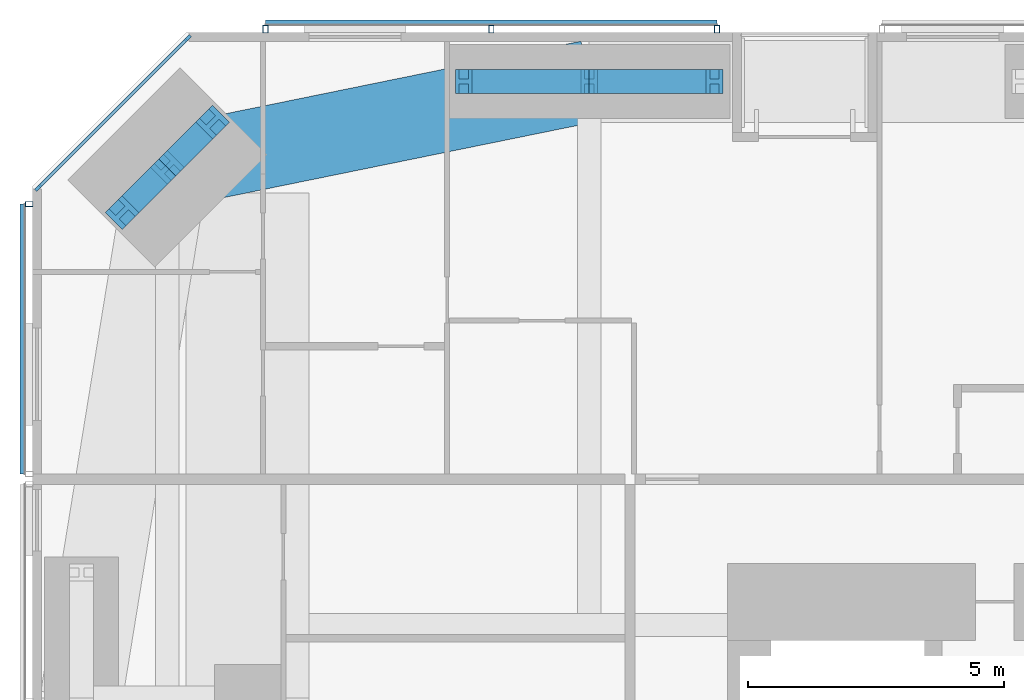
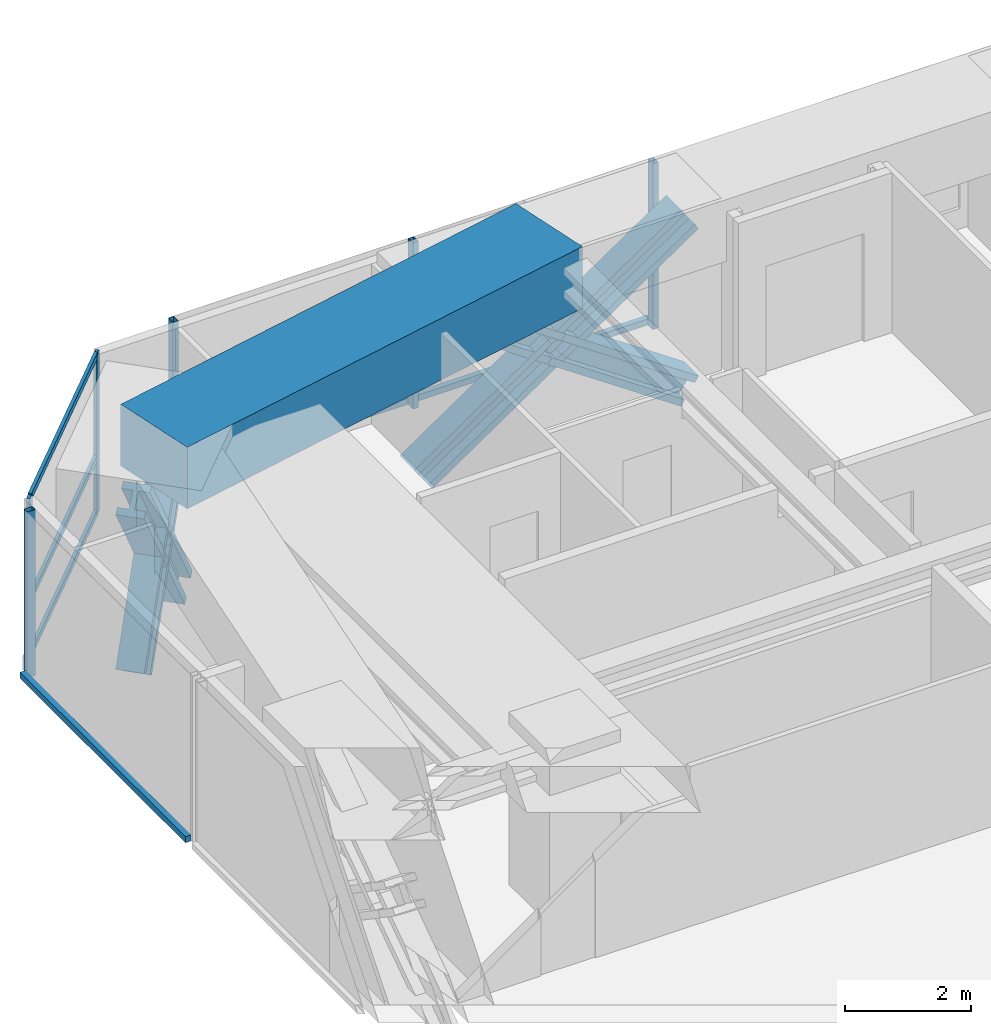
# One storey, part 11 of 24: 19 members, 1 beam, 3 elements without a shape of their own.
"""IFC4 building model written with IfcOpenShell, lengths in metres."""

from ifc_helpers import new_model, si_unit, direction, frame, origin, origin_2d, place, context, subcontext, project, spatial, rectangle, hollow_rectangle, i_section, extrude, material, material_profile, profile_set, type_object, element, aggregate, save


model = new_model("IFC4")

# Units and contexts
model_context = context("Model", 3, precision=1e-05, world=origin(), true_north=direction((0.0, 1.0)))
body_context = subcontext(model_context, "Body", "Model", "MODEL_VIEW")
ifc_project = project(units=[si_unit("LENGTHUNIT", "METRE"), si_unit("AREAUNIT", "SQUARE_METRE"), si_unit("VOLUMEUNIT", "CUBIC_METRE"), si_unit("PLANEANGLEUNIT", "RADIAN"), si_unit("MASSUNIT", "GRAM", prefix="KILO")], contexts=[model_context])

# Site, building, storey
site_placement = place(None, origin())
site = spatial("IfcSite", under=ifc_project, at=site_placement, CompositionType="ELEMENT")
building_placement = place(site_placement, origin())
building = spatial("IfcBuilding", under=site, at=building_placement, Name="Jalousie Tower", CompositionType="ELEMENT")
storey_placement = place(building_placement, frame((0.0, 0.0, 91.449951171875)))
storey = spatial("IfcBuildingStorey", under=building, at=storey_placement, Name="L24", CompositionType="ELEMENT", Elevation=91.449951171875)

# Curtain wall, members
ifc_material_1 = material(Name="Aluminium curtain wall", Category="aluminium")
curtain_wall_type_1 = type_object("IfcCurtainWallType", Name="CORNER WINDOW WALL", PredefinedType="USERDEFINED", material=ifc_material_1)
curtain_wall_1_placement = place(storey_placement, origin())
curtain_wall_1 = element("IfcCurtainWall", 1, at=curtain_wall_1_placement, inside=storey, type_object=curtain_wall_type_1, Name="Corner Window Wall L24 6", ObjectType="CORNER WINDOW WALL", PredefinedType="USERDEFINED")
ifc_material_2 = material(Name="Aluminium mullion", Category="aluminium")
ifc_material_profile_1 = material_profile(ifc_material_2, rectangle(XDim=0.06005859375, YDim=0.14990234375, at=origin_2d()), Name="MULLION 60x150")
ifc_profile_set_1 = profile_set([ifc_material_profile_1], Name="Aluminium mullion")
member_type_1 = type_object("IfcMemberType", Name="CORNER WINDOW WALL MULLION", PredefinedType="MULLION", material=ifc_profile_set_1)
member_1_placement = place(storey_placement, frame((9.030029296875, 37.891357421875, 0.0), z_axis=(0.0, 0.0, 1.0), x_axis=(0.707106781187, -0.707106781187, 0.0)))
member_1 = element("IfcMember", 2, at=member_1_placement, type_object=member_type_1, Name="CW-C mullion 1", PredefinedType="MULLION", context=body_context, shape_type="SweptSolid", body=[
    extrude(rectangle(XDim=0.06005859375, YDim=0.14990234375, at=origin_2d()), origin(), (0.0, 0.0, 1.0), 3.110107421875),
])
member_2_placement = place(storey_placement, frame((6.108642578125, 34.969970703125, 0.0), z_axis=(0.0, 0.0, 1.0), x_axis=(0.707106781187, -0.707106781187, 0.0)))
member_2 = element("IfcMember", 3, at=member_2_placement, type_object=member_type_1, Name="CW-C mullion 2", PredefinedType="MULLION", context=body_context, shape_type="SweptSolid", body=[
    extrude(rectangle(XDim=0.06005859375, YDim=0.14990234375, at=origin_2d()), origin(), (0.0, 0.0, 1.0), 3.110107421875),
])
ifc_material_3 = material(Name="Aluminium transom", Category="aluminium")
ifc_material_profile_2 = material_profile(ifc_material_3, rectangle(XDim=0.06005859375, YDim=0.1201171875, at=origin_2d()), Name="TRANSOM 60x120")
ifc_profile_set_2 = profile_set([ifc_material_profile_2], Name="Aluminium transom")
member_type_2 = type_object("IfcMemberType", Name="CORNER WINDOW WALL TRANSOM", PredefinedType="USERDEFINED", material=ifc_profile_set_2)
member_3_placement = place(storey_placement, frame((9.0087890625, 37.8701171875, 0.030029296875), z_axis=(-0.707106781187, -0.707106781187, 0.0), x_axis=(0.707106781187, -0.707106781187, 0.0)))
member_3 = element("IfcMember", 4, at=member_3_placement, type_object=member_type_2, Name="CW-C transom 1.1", ObjectType="TRANSOM", PredefinedType="USERDEFINED", context=body_context, shape_type="SweptSolid", body=[
    extrude(rectangle(XDim=0.06005859375, YDim=0.1201171875, at=origin_2d()), origin(), (0.0, 0.0, 1.0), 4.0712890625),
])
member_4_placement = place(storey_placement, frame((9.0087890625, 37.8701171875, 1.10009765625), z_axis=(-0.707106781187, -0.707106781187, 0.0), x_axis=(0.707106781187, -0.707106781187, 0.0)))
member_4 = element("IfcMember", 5, at=member_4_placement, type_object=member_type_2, Name="CW-C transom 1.2", ObjectType="TRANSOM", PredefinedType="USERDEFINED", context=body_context, shape_type="SweptSolid", body=[
    extrude(rectangle(XDim=0.06005859375, YDim=0.1201171875, at=origin_2d()), origin(), (0.0, 0.0, 1.0), 4.0712890625),
])
member_5_placement = place(storey_placement, frame((9.0087890625, 37.8701171875, 3.080078125), z_axis=(-0.707106781187, -0.707106781187, 0.0), x_axis=(0.707106781187, -0.707106781187, 0.0)))
member_5 = element("IfcMember", 6, at=member_5_placement, type_object=member_type_2, Name="CW-C transom 1.3", ObjectType="TRANSOM", PredefinedType="USERDEFINED", context=body_context, shape_type="SweptSolid", body=[
    extrude(rectangle(XDim=0.06005859375, YDim=0.1201171875, at=origin_2d()), origin(), (0.0, 0.0, 1.0), 4.0712890625),
])
aggregate(curtain_wall_1, [member_1, member_2, member_3, member_4, member_5])

# Members
ifc_material_4 = material(Name="Steel ASTM A992 Grade 50", Category="steel")
ifc_material_profile_3 = material_profile(ifc_material_4, i_section(OverallWidth=0.472412109375, OverallDepth=0.5791015625, WebThickness=0.094970703125, FlangeThickness=0.1298828125, at=origin_2d()), Name="W14X808")
ifc_profile_set_3 = profile_set([ifc_material_profile_3], Name="Steel ASTM A992 Grade 50")
member_type_3 = type_object("IfcMemberType", Name="PERIMETER BRACE W14X808", PredefinedType="BRACE", material=ifc_profile_set_3)
for number, where, z_axis, x_axis, name in (
    (7, (14.425048828125, 37.050048828125, -0.599853515625), (0.825539243753, 0.0, 0.564344714713), (0.0, 1.0, 0.0), "Perimeter brace 11 L24 part 1"),
    (8, (16.875, 37.050048828125, 1.074951171875), (0.825500916831, 0.0, 0.564400776321), (0.0, 1.0, 0.0), "Perimeter brace 11 L24 part 2"),
    (9, (19.324951171875, 37.050048828125, -0.599853515625), (-0.825539243753, 0.0, 0.564344714713), (0.0, -1.0, 0.0), "Perimeter brace 11 L24 part 3"),
    (10, (16.875, 37.050048828125, 1.074951171875), (-0.825500916831, 0.0, 0.564400776321), (0.0, -1.0, 0.0), "Perimeter brace 11 L24 part 4"),
):
    element("IfcMember", number, at=place(storey_placement, frame(where, z_axis=z_axis, x_axis=x_axis)), inside=storey, type_object=member_type_3, Name=name, PredefinedType="BRACE", context=body_context, shape_type="SweptSolid", body=[
        extrude(i_section(OverallWidth=0.472412109375, OverallDepth=0.5791015625, WebThickness=0.094970703125, FlangeThickness=0.1298828125, at=origin_2d()), origin(), (0.0, 0.0, 1.0), 2.9677734375),
    ])
member_6_placement = place(storey_placement, frame((9.515380859375, 36.25244140625, -0.599853515625), z_axis=(-0.423008127391, -0.422891306588, 0.801390708065), x_axis=(0.70700912125, -0.707204427637, 0.0)))
element("IfcMember", 11, at=member_6_placement, inside=storey, type_object=member_type_3, Name="Perimeter brace 12 L24 part 1", PredefinedType="BRACE", context=body_context, shape_type="SweptSolid", body=[
    extrude(i_section(OverallWidth=0.472412109375, OverallDepth=0.5791015625, WebThickness=0.094970703125, FlangeThickness=0.1298828125, at=origin_2d()), origin(), (0.0, 0.0, 1.0), 2.08984375),
])
member_7_placement = place(storey_placement, frame((8.63134765625, 35.36865234375, 1.074951171875), z_axis=(-0.422851718556, -0.422968528423, 0.801432497518), x_axis=(0.707204427637, -0.70700912125, 0.0)))
element("IfcMember", 12, at=member_7_placement, inside=storey, type_object=member_type_3, Name="Perimeter brace 12 L24 part 2", PredefinedType="BRACE", context=body_context, shape_type="SweptSolid", body=[
    extrude(i_section(OverallWidth=0.472412109375, OverallDepth=0.5791015625, WebThickness=0.094970703125, FlangeThickness=0.1298828125, at=origin_2d()), origin(), (0.0, 0.0, 1.0), 2.090087890625),
])
member_8_placement = place(storey_placement, frame((7.74755859375, 34.484619140625, -0.599853515625), z_axis=(0.422891306588, 0.423008127391, 0.801390708065), x_axis=(-0.707204427637, 0.70700912125, 0.0)))
element("IfcMember", 13, at=member_8_placement, inside=storey, type_object=member_type_3, Name="Perimeter brace 12 L24 part 3", PredefinedType="BRACE", context=body_context, shape_type="SweptSolid", body=[
    extrude(i_section(OverallWidth=0.472412109375, OverallDepth=0.5791015625, WebThickness=0.094970703125, FlangeThickness=0.1298828125, at=origin_2d()), origin(), (0.0, 0.0, 1.0), 2.08984375),
])
member_9_placement = place(storey_placement, frame((8.63134765625, 35.36865234375, 1.074951171875), z_axis=(0.422968528423, 0.422851718556, 0.801432497518), x_axis=(-0.70700912125, 0.707204427637, 0.0)))
element("IfcMember", 14, at=member_9_placement, inside=storey, type_object=member_type_3, Name="Perimeter brace 12 L24 part 4", PredefinedType="BRACE", context=body_context, shape_type="SweptSolid", body=[
    extrude(i_section(OverallWidth=0.472412109375, OverallDepth=0.5791015625, WebThickness=0.094970703125, FlangeThickness=0.1298828125, at=origin_2d()), origin(), (0.0, 0.0, 1.0), 2.090087890625),
])

# Beam
ifc_material_5 = material(Name="Concrete f'c 40 MPa", Category="concrete")
ifc_material_profile_4 = material_profile(ifc_material_5, rectangle(XDim=1.60009765625, YDim=1.199951171875, at=origin_2d()), Name="RC 1600x1200")
ifc_profile_set_4 = profile_set([ifc_material_profile_4], Name="Concrete f'c 40 MPa")
beam_type = type_object("IfcBeamType", Name="RC BEAM 1600x1200", PredefinedType="BEAM", material=ifc_profile_set_4)
beam_placement = place(storey_placement, frame((16.875, 37.050048828125, 2.75), z_axis=(-0.97982690954, -0.199848010602, 0.0), x_axis=(0.199848010602, -0.97982690954, 0.0)))
element("IfcBeam", 15, at=beam_placement, inside=storey, type_object=beam_type, Name="Edge band beam 11-12 under L25", PredefinedType="BEAM", context=body_context, shape_type="SweptSolid", body=[
    extrude(rectangle(XDim=1.60009765625, YDim=1.199951171875, at=origin_2d()), origin(), (0.0, 0.0, 1.0), 8.413330078125),
])

# Curtain wall, members
ifc_material_6 = material(Name="Perforated aluminium sheet", Category="aluminium")
curtain_wall_type_2 = type_object("IfcCurtainWallType", Name="SOLAR SCREEN SS-1", PredefinedType="USERDEFINED", material=ifc_material_6)
curtain_wall_2_placement = place(storey_placement, origin())
curtain_wall_2 = element("IfcCurtainWall", 16, at=curtain_wall_2_placement, inside=storey, type_object=curtain_wall_type_2, Name="Solar screen L24", ObjectType="SOLAR SCREEN SS-1", PredefinedType="USERDEFINED")
ifc_material_7 = material(Name="Steel ASTM A500 Grade C", Category="steel")
ifc_material_profile_5 = material_profile(ifc_material_7, hollow_rectangle(XDim=0.1015625, YDim=0.15234375, WallThickness=0.00634765625, at=origin_2d()), Name="HSS6X4X1/4")
ifc_profile_set_5 = profile_set([ifc_material_profile_5], Name="Steel ASTM A500 Grade C")
member_type_4 = type_object("IfcMemberType", Name="SOLAR SCREEN SS-1 MULLION", PredefinedType="MULLION", material=ifc_profile_set_5)
member_10_placement = place(storey_placement, frame((19.375, 38.0712890625, -0.119873046875), z_axis=(0.0, 0.0, 1.0), x_axis=(-1.0, 0.0, 0.0)))
member_10 = element("IfcMember", 17, at=member_10_placement, type_object=member_type_4, Name="SS1 post 1", PredefinedType="MULLION", context=body_context, shape_type="SweptSolid", body=[
    extrude(hollow_rectangle(XDim=0.1015625, YDim=0.15234375, WallThickness=0.00634765625, at=origin_2d()), origin(), (0.0, 0.0, 1.0), 3.22998046875),
])
member_11_placement = place(storey_placement, frame((14.96240234375, 38.0712890625, -0.119873046875), z_axis=(0.0, 0.0, 1.0), x_axis=(-1.0, 0.0, 0.0)))
member_11 = element("IfcMember", 18, at=member_11_placement, type_object=member_type_4, Name="SS1 post 2", PredefinedType="MULLION", context=body_context, shape_type="SweptSolid", body=[
    extrude(hollow_rectangle(XDim=0.1015625, YDim=0.15234375, WallThickness=0.00634765625, at=origin_2d()), origin(), (0.0, 0.0, 1.0), 3.22998046875),
])
member_12_placement = place(storey_placement, frame((10.550048828125, 38.0712890625, -0.119873046875), z_axis=(0.0, 0.0, 1.0), x_axis=(-1.0, 0.0, 0.0)))
member_12 = element("IfcMember", 19, at=member_12_placement, type_object=member_type_4, Name="SS1 post 3", PredefinedType="MULLION", context=body_context, shape_type="SweptSolid", body=[
    extrude(hollow_rectangle(XDim=0.1015625, YDim=0.15234375, WallThickness=0.00634765625, at=origin_2d()), origin(), (0.0, 0.0, 1.0), 3.22998046875),
])

# Curtain wall, member
curtain_wall_3_placement = place(storey_placement, origin())
curtain_wall_3 = element("IfcCurtainWall", 20, at=curtain_wall_3_placement, inside=storey, type_object=curtain_wall_type_2, Name="Solar screen L24", ObjectType="SOLAR SCREEN SS-1", PredefinedType="USERDEFINED")
member_13_placement = place(storey_placement, frame((5.9287109375, 34.648681640625, -0.119873046875), z_axis=(0.0, 0.0, 1.0), x_axis=(0.0, -1.0, 0.0)))
member_13 = element("IfcMember", 21, at=member_13_placement, type_object=member_type_4, Name="SS1 post 1", PredefinedType="MULLION", context=body_context, shape_type="SweptSolid", body=[
    extrude(hollow_rectangle(XDim=0.1015625, YDim=0.15234375, WallThickness=0.00634765625, at=origin_2d()), origin(), (0.0, 0.0, 1.0), 3.22998046875),
])

# Member
ifc_material_8 = material(Name="Extruded aluminium screen rail", Category="aluminium")
ifc_material_profile_6 = material_profile(ifc_material_8, rectangle(XDim=0.1015625, YDim=0.1201171875, at=origin_2d()), Name="RAIL 102x120")
ifc_profile_set_6 = profile_set([ifc_material_profile_6], Name="Extruded aluminium screen rail")
member_type_5 = type_object("IfcMemberType", Name="SOLAR SCREEN SS-1 TRANSOM", PredefinedType="USERDEFINED", material=ifc_profile_set_6)
member_14_placement = place(storey_placement, frame((19.375, 38.1982421875, -0.06005859375), z_axis=(-1.0, 0.0, 0.0), x_axis=(0.0, -1.0, 0.0)))
member_14 = element("IfcMember", 22, at=member_14_placement, type_object=member_type_5, Name="SS1 rail", ObjectType="TRANSOM", PredefinedType="USERDEFINED", context=body_context, shape_type="SweptSolid", body=[
    extrude(rectangle(XDim=0.1015625, YDim=0.1201171875, at=origin_2d()), origin(), (0.0, 0.0, 1.0), 8.824951171875),
])

aggregate(curtain_wall_2, [member_10, member_11, member_12, member_14])

member_15_placement = place(storey_placement, frame((5.8017578125, 34.648681640625, -0.06005859375), z_axis=(0.0, -1.0, 0.0), x_axis=(1.0, 0.0, 0.0)))
member_15 = element("IfcMember", 23, at=member_15_placement, type_object=member_type_5, Name="SS1 rail", ObjectType="TRANSOM", PredefinedType="USERDEFINED", context=body_context, shape_type="SweptSolid", body=[
    extrude(rectangle(XDim=0.1015625, YDim=0.1201171875, at=origin_2d()), origin(), (0.0, 0.0, 1.0), 5.273681640625),
])

aggregate(curtain_wall_3, [member_13, member_15])

save(model, "model.ifc")
